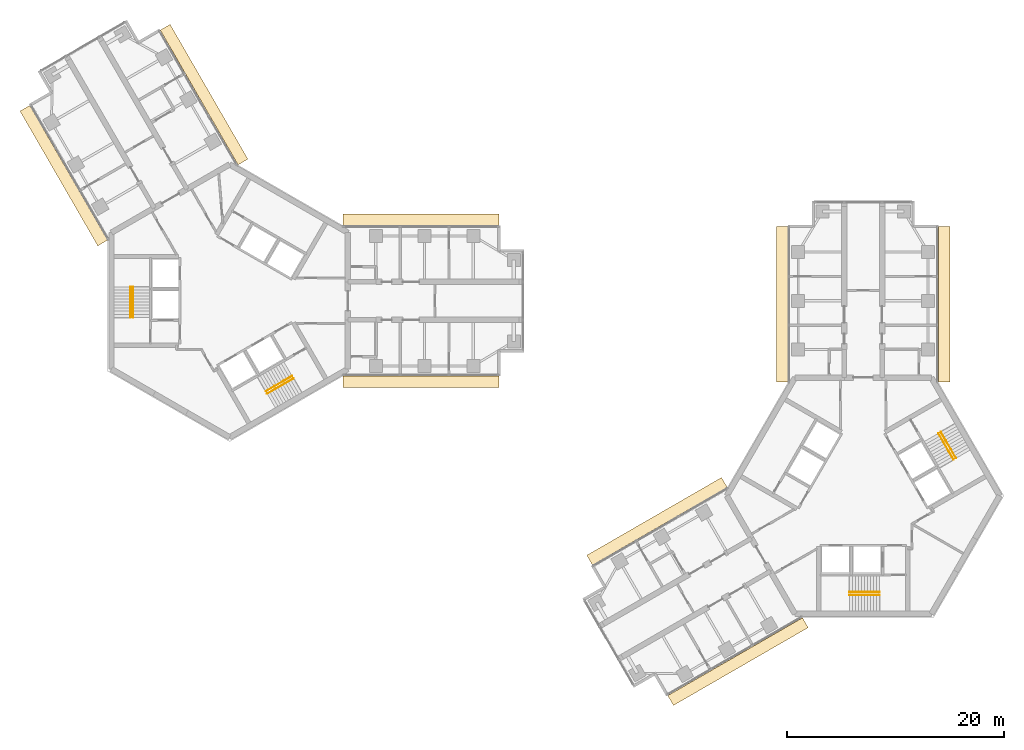
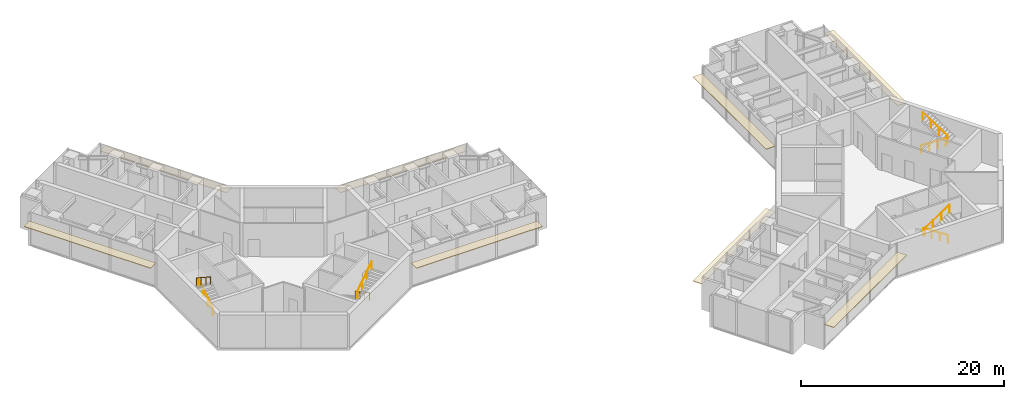
# One storey, part 17 of 17: 8 coverings, 8 railings.
"""IFC4 building model written with IfcOpenShell, lengths in metres."""

from ifc_helpers import new_model, si_unit, direction, frame, origin, origin_2d, place, context, subcontext, project, spatial, rectangle, circle, extrude, material, layer, layer_set, type_object, element, save


model = new_model("IFC4")

# Units and contexts
model_context = context("Model", 3, precision=1e-05, world=origin(), true_north=direction((0.0, 1.0)))
body_context = subcontext(model_context, "Body", "Model", "MODEL_VIEW")
ifc_project = project(units=[si_unit("LENGTHUNIT", "METRE"), si_unit("AREAUNIT", "SQUARE_METRE"), si_unit("VOLUMEUNIT", "CUBIC_METRE"), si_unit("PLANEANGLEUNIT", "RADIAN"), si_unit("MASSUNIT", "GRAM", prefix="KILO")], contexts=[model_context])

# Site, building, storey
site_placement = place(None, origin())
site = spatial("IfcSite", under=ifc_project, at=site_placement, CompositionType="ELEMENT")
building_placement = place(site_placement, origin())
building = spatial("IfcBuilding", under=site, at=building_placement, Name="Upepo Twin Towers", CompositionType="ELEMENT")
storey_placement = place(building_placement, frame((0.0, 0.0, 190.5)))
storey = spatial("IfcBuildingStorey", under=building, at=storey_placement, Name="L46", CompositionType="ELEMENT", Elevation=190.5)

# Coverings
ifc_material_1 = material(Name="Anodised aluminium, pale silver", Category="aluminium")
ifc_layer = layer(ifc_material_1, 0.080078125)
ifc_layer_set = layer_set([ifc_layer], Name="Brise-soleil blade 1050 pale aluminium")
covering_type = type_object("IfcCoveringType", Name="Brise-soleil blade 1050 pale aluminium", PredefinedType="USERDEFINED", material=ifc_layer_set)
for number, where, z_axis, x_axis, name in (
    (1, (17.66845703125, 7.4775390625, 2.909912109375), (0.0, 0.0, 1.0), (1.0, 0.0, 0.0), "T1 L46 wing A brise-soleil L"),
    (2, (17.66845703125, -7.4775390625, 2.909912109375), (0.0, 0.0, 1.0), (1.0, 0.0, 0.0), "T1 L46 wing A brise-soleil R"),
    (3, (-15.31005859375, 11.562744140625, 2.909912109375), (0.0, 0.0, 1.0), (-0.50000003023, 0.866025386331, 0.0), "T1 L46 wing B brise-soleil L"),
    (4, (-2.358642578125, 19.040283203125, 2.909912109375), (0.0, 0.0, 1.0), (-0.50000003023, 0.866025386331, 0.0), "T1 L46 wing B brise-soleil R"),
    (5, (51.0224609375, -0.33154296875, 2.909912109375), (0.0, 0.0, 1.0), (0.0, 1.0, 0.0), "T2 L46 wing A brise-soleil L"),
    (6, (65.9775390625, -0.33154296875, 2.909912109375), (0.0, 0.0, 1.0), (0.0, 1.0, 0.0), "T2 L46 wing A brise-soleil R"),
    (7, (46.937255859375, -33.31005859375, 2.909912109375), (0.0, 0.0, 1.0), (-0.866025386331, -0.50000003023, 0.0), "T2 L46 wing B brise-soleil L"),
    (8, (39.459716796875, -20.358642578125, 2.909912109375), (0.0, 0.0, 1.0), (-0.866025386331, -0.50000003023, 0.0), "T2 L46 wing B brise-soleil R"),
):
    element("IfcCovering", number, at=place(storey_placement, frame(where, z_axis=z_axis, x_axis=x_axis)), inside=storey, type_object=covering_type, Name=name, ObjectType="SUNSHADE", PredefinedType="USERDEFINED", context=body_context, shape_type="SweptSolid", body=[
        extrude(rectangle(XDim=14.36279296875, YDim=1.050048828125, at=origin_2d()), origin(), (0.0, 0.0, 1.0), 0.080078125),
    ])

# Railings
ifc_material_2 = material(Name="Stainless steel", Category="steel")
railing_type = type_object("IfcRailingType", Name="Stair handrail 900", PredefinedType="HANDRAIL", material=ifc_material_2)
railing_1_placement = place(storey_placement, frame((-8.89990234375, -1.52001953125, 0.181884765625)))
element("IfcRailing", 9, at=railing_1_placement, inside=storey, type_object=railing_type, Name="T1 stair S1 L46 handrail 1", PredefinedType="HANDRAIL", context=body_context, shape_type="SweptSolid", body=[
    extrude(circle(Radius=0.02392578125, at=origin_2d()), frame((0.0, 0.0, 0.8759765625), z_axis=(0.0, 0.838705829183, 0.544584733623), x_axis=(-1.0, 0.0, 0.0)), (0.0, 0.0, 1.0), 3.338623046875),
    extrude(circle(Radius=0.02099609375, at=origin_2d()), origin(), (0.0, 0.0, 1.0), 0.851806640625),
    extrude(circle(Radius=0.02099609375, at=origin_2d()), frame((0.0, 0.933349609375, 0.60595703125)), (0.0, 0.0, 1.0), 0.851806640625),
    extrude(circle(Radius=0.02099609375, at=origin_2d()), frame((0.0, 1.86669921875, 1.212158203125)), (0.0, 0.0, 1.0), 0.851806640625),
    extrude(circle(Radius=0.02099609375, at=origin_2d()), frame((0.0, 2.800048828125, 1.818115234375)), (0.0, 0.0, 1.0), 0.851806640625),
])
railing_2_placement = place(storey_placement, frame((-9.158447265625, 1.280029296875, 2.181884765625)))
element("IfcRailing", 10, at=railing_2_placement, inside=storey, type_object=railing_type, Name="T1 stair S1 L46 handrail 2", PredefinedType="HANDRAIL", context=body_context, shape_type="SweptSolid", body=[
    extrude(circle(Radius=0.02392578125, at=origin_2d()), frame((0.0, 0.0, 0.8759765625), z_axis=(0.0, -0.838705829183, 0.544584733623), x_axis=(1.0, 0.0, 0.0)), (0.0, 0.0, 1.0), 3.338623046875),
    extrude(circle(Radius=0.02099609375, at=origin_2d()), origin(), (0.0, 0.0, 1.0), 0.851806640625),
    extrude(circle(Radius=0.02099609375, at=origin_2d()), frame((0.0, -0.933349609375, 0.60595703125)), (0.0, 0.0, 1.0), 0.851806640625),
    extrude(circle(Radius=0.02099609375, at=origin_2d()), frame((0.0, -1.86669921875, 1.212158203125)), (0.0, 0.0, 1.0), 0.851806640625),
    extrude(circle(Radius=0.02099609375, at=origin_2d()), frame((0.0, -2.800048828125, 1.818115234375)), (0.0, 0.0, 1.0), 0.851806640625),
])
railing_3_placement = place(storey_placement, frame((5.766357421875, -6.947509765625, 0.181884765625)))
element("IfcRailing", 11, at=railing_3_placement, inside=storey, type_object=railing_type, Name="T1 stair S2 L46 handrail 1", PredefinedType="HANDRAIL", context=body_context, shape_type="SweptSolid", body=[
    extrude(circle(Radius=0.02392578125, at=origin_2d()), frame((0.0, 0.0, 0.8759765625), z_axis=(-0.726314030065, -0.419392968428, 0.544589265193), x_axis=(0.500049511043, -0.865996816683, 0.0)), (0.0, 0.0, 1.0), 3.338623046875),
    extrude(circle(Radius=0.02099609375, at=origin_2d()), origin(), (0.0, 0.0, 1.0), 0.851806640625),
    extrude(circle(Radius=0.02099609375, at=origin_2d()), frame((-0.808349609375, -0.466796875, 0.60595703125)), (0.0, 0.0, 1.0), 0.851806640625),
    extrude(circle(Radius=0.02099609375, at=origin_2d()), frame((-1.616455078125, -0.933349609375, 1.212158203125)), (0.0, 0.0, 1.0), 0.851806640625),
    extrude(circle(Radius=0.02099609375, at=origin_2d()), frame((-2.4248046875, -1.400146484375, 1.818115234375)), (0.0, 0.0, 1.0), 0.851806640625),
])
railing_4_placement = place(storey_placement, frame((3.470703125, -8.5712890625, 2.181884765625)))
element("IfcRailing", 12, at=railing_4_placement, inside=storey, type_object=railing_type, Name="T1 stair S2 L46 handrail 2", PredefinedType="HANDRAIL", context=body_context, shape_type="SweptSolid", body=[
    extrude(circle(Radius=0.02392578125, at=origin_2d()), frame((0.0, 0.0, 0.8759765625), z_axis=(0.726336304947, 0.419332699614, 0.544605966869), x_axis=(-0.49998411664, 0.866034573852, 0.0)), (0.0, 0.0, 1.0), 3.33837890625),
    extrude(circle(Radius=0.02099609375, at=origin_2d()), origin(), (0.0, 0.0, 1.0), 0.851806640625),
    extrude(circle(Radius=0.02099609375, at=origin_2d()), frame((0.808349609375, 0.466552734375, 0.60595703125)), (0.0, 0.0, 1.0), 0.851806640625),
    extrude(circle(Radius=0.02099609375, at=origin_2d()), frame((1.616455078125, 0.933349609375, 1.212158203125)), (0.0, 0.0, 1.0), 0.851806640625),
    extrude(circle(Radius=0.02099609375, at=origin_2d()), frame((2.4248046875, 1.39990234375, 1.818115234375)), (0.0, 0.0, 1.0), 0.851806640625),
])
railing_5_placement = place(storey_placement, frame((60.02001953125, -26.89990234375, 0.181884765625)))
element("IfcRailing", 13, at=railing_5_placement, inside=storey, type_object=railing_type, Name="T2 stair S1 L46 handrail 1", PredefinedType="HANDRAIL", context=body_context, shape_type="SweptSolid", body=[
    extrude(circle(Radius=0.02392578125, at=origin_2d()), frame((0.0, 0.0, 0.8759765625), z_axis=(-0.838705829183, 0.0, 0.544584733623), x_axis=(0.0, -1.0, 0.0)), (0.0, 0.0, 1.0), 3.338623046875),
    extrude(circle(Radius=0.02099609375, at=origin_2d()), origin(), (0.0, 0.0, 1.0), 0.851806640625),
    extrude(circle(Radius=0.02099609375, at=origin_2d()), frame((-0.933349609375, 0.0, 0.60595703125)), (0.0, 0.0, 1.0), 0.851806640625),
    extrude(circle(Radius=0.02099609375, at=origin_2d()), frame((-1.86669921875, 0.0, 1.212158203125)), (0.0, 0.0, 1.0), 0.851806640625),
    extrude(circle(Radius=0.02099609375, at=origin_2d()), frame((-2.800048828125, 0.0, 1.818115234375)), (0.0, 0.0, 1.0), 0.851806640625),
])
railing_6_placement = place(storey_placement, frame((57.219970703125, -27.158447265625, 2.181884765625)))
element("IfcRailing", 14, at=railing_6_placement, inside=storey, type_object=railing_type, Name="T2 stair S1 L46 handrail 2", PredefinedType="HANDRAIL", context=body_context, shape_type="SweptSolid", body=[
    extrude(circle(Radius=0.02392578125, at=origin_2d()), frame((0.0, 0.0, 0.8759765625), z_axis=(0.838705829183, 0.0, 0.544584733623), x_axis=(0.0, 1.0, 0.0)), (0.0, 0.0, 1.0), 3.338623046875),
    extrude(circle(Radius=0.02099609375, at=origin_2d()), origin(), (0.0, 0.0, 1.0), 0.851806640625),
    extrude(circle(Radius=0.02099609375, at=origin_2d()), frame((0.933349609375, 0.0, 0.60595703125)), (0.0, 0.0, 1.0), 0.851806640625),
    extrude(circle(Radius=0.02099609375, at=origin_2d()), frame((1.86669921875, 0.0, 1.212158203125)), (0.0, 0.0, 1.0), 0.851806640625),
    extrude(circle(Radius=0.02099609375, at=origin_2d()), frame((2.800048828125, 0.0, 1.818115234375)), (0.0, 0.0, 1.0), 0.851806640625),
])
railing_7_placement = place(storey_placement, frame((65.447509765625, -12.233642578125, 0.181884765625)))
element("IfcRailing", 15, at=railing_7_placement, inside=storey, type_object=railing_type, Name="T2 stair S2 L46 handrail 1", PredefinedType="HANDRAIL", context=body_context, shape_type="SweptSolid", body=[
    extrude(circle(Radius=0.02392578125, at=origin_2d()), frame((0.0, 0.0, 0.8759765625), z_axis=(0.419392968428, -0.726314030065, 0.544589265193), x_axis=(0.865996816683, 0.500049511043, 0.0)), (0.0, 0.0, 1.0), 3.338623046875),
    extrude(circle(Radius=0.02099609375, at=origin_2d()), origin(), (0.0, 0.0, 1.0), 0.851806640625),
    extrude(circle(Radius=0.02099609375, at=origin_2d()), frame((0.466796875, -0.808349609375, 0.60595703125)), (0.0, 0.0, 1.0), 0.851806640625),
    extrude(circle(Radius=0.02099609375, at=origin_2d()), frame((0.933349609375, -1.616455078125, 1.212158203125)), (0.0, 0.0, 1.0), 0.851806640625),
    extrude(circle(Radius=0.02099609375, at=origin_2d()), frame((1.400146484375, -2.4248046875, 1.818115234375)), (0.0, 0.0, 1.0), 0.851806640625),
])
railing_8_placement = place(storey_placement, frame((67.0712890625, -14.529296875, 2.181884765625)))
element("IfcRailing", 16, at=railing_8_placement, inside=storey, type_object=railing_type, Name="T2 stair S2 L46 handrail 2", PredefinedType="HANDRAIL", context=body_context, shape_type="SweptSolid", body=[
    extrude(circle(Radius=0.02392578125, at=origin_2d()), frame((0.0, 0.0, 0.8759765625), z_axis=(-0.419332699614, 0.726336304947, 0.544605966869), x_axis=(-0.866034573852, -0.49998411664, 0.0)), (0.0, 0.0, 1.0), 3.33837890625),
    extrude(circle(Radius=0.02099609375, at=origin_2d()), origin(), (0.0, 0.0, 1.0), 0.851806640625),
    extrude(circle(Radius=0.02099609375, at=origin_2d()), frame((-0.466552734375, 0.808349609375, 0.60595703125)), (0.0, 0.0, 1.0), 0.851806640625),
    extrude(circle(Radius=0.02099609375, at=origin_2d()), frame((-0.933349609375, 1.616455078125, 1.212158203125)), (0.0, 0.0, 1.0), 0.851806640625),
    extrude(circle(Radius=0.02099609375, at=origin_2d()), frame((-1.39990234375, 2.4248046875, 1.818115234375)), (0.0, 0.0, 1.0), 0.851806640625),
])

save(model, "model.ifc")
